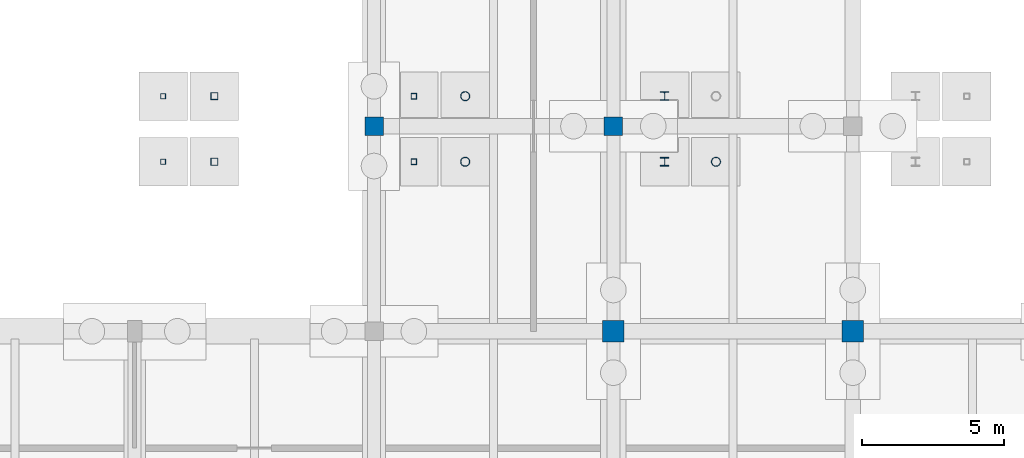
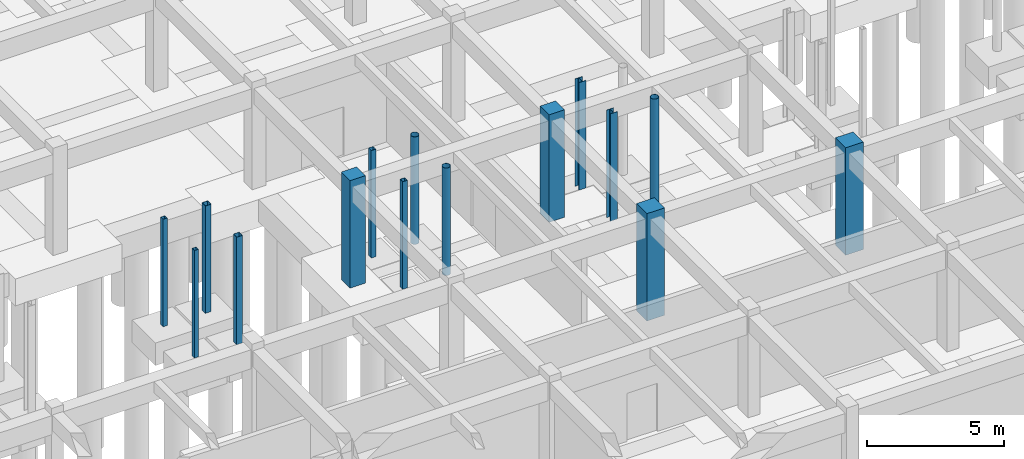
# One storey, part 21 of 80: 15 columns.
"""IFC4 building model written with IfcOpenShell, lengths in metres."""

from ifc_helpers import new_model, si_unit, direction, frame, origin, origin_2d, place, context, subcontext, project, spatial, rectangle, hollow_rectangle, hollow_circle, i_section, extrude, material, material_profile, profile_set, type_object, element, save


model = new_model("IFC4")

# Units and contexts
model_context = context("Model", 3, precision=1e-05, world=origin(), true_north=direction((0.0, 1.0)))
body_context = subcontext(model_context, "Body", "Model", "MODEL_VIEW")
ifc_project = project(units=[si_unit("LENGTHUNIT", "METRE"), si_unit("AREAUNIT", "SQUARE_METRE"), si_unit("VOLUMEUNIT", "CUBIC_METRE"), si_unit("PLANEANGLEUNIT", "RADIAN"), si_unit("MASSUNIT", "GRAM", prefix="KILO")], contexts=[model_context])

# Site, building, storey
site_placement = place(None, origin())
site = spatial("IfcSite", under=ifc_project, at=site_placement, CompositionType="ELEMENT")
building_placement = place(site_placement, origin())
building = spatial("IfcBuilding", under=site, at=building_placement, Name="Malvenik Polytechnic", CompositionType="ELEMENT")
storey_placement = place(building_placement, frame((0.0, 0.0, -4.800048828125)))
storey = spatial("IfcBuildingStorey", under=building, at=storey_placement, Name="B1", CompositionType="ELEMENT", Elevation=-4.800048828125)

# Columns
ifc_material_1 = material(Name="Concrete C40/50", Category="concrete")
ifc_material_profile_1 = material_profile(ifc_material_1, rectangle(XDim=0.75, YDim=0.75, at=origin_2d()), Name="RC COL 750x750")
ifc_profile_set_1 = profile_set([ifc_material_profile_1], Name="Concrete C40/50")
column_type_1 = type_object("IfcColumnType", Name="STR-COL-C-03", PredefinedType="COLUMN", material=ifc_profile_set_1)
for number, where, z_axis, x_axis, name in (
    (1, (84.0, 36.0, 0.0), (0.0, 0.0, 1.0), (1.0, 0.0, 0.0), "Column C-03 B1 (84.0,36.0)"),
    (2, (92.39990234375, 36.0, 0.0), (0.0, 0.0, 1.0), (1.0, 0.0, 0.0), "Column C-03 B1 (92.4,36.0)"),
):
    element("IfcColumn", number, at=place(storey_placement, frame(where, z_axis=z_axis, x_axis=x_axis)), inside=storey, type_object=column_type_1, Name=name, PredefinedType="COLUMN", context=body_context, shape_type="SweptSolid", body=[
        extrude(rectangle(XDim=0.75, YDim=0.75, at=origin_2d()), origin(), (0.0, 0.0, 1.0), 4.800048828125),
    ])
ifc_material_2 = material(Name="Concrete C35/45", Category="concrete")
ifc_material_profile_2 = material_profile(ifc_material_2, rectangle(XDim=0.64990234375, YDim=0.64990234375, at=origin_2d()), Name="RC COL 650x650")
ifc_profile_set_2 = profile_set([ifc_material_profile_2], Name="Concrete C35/45")
column_type_2 = type_object("IfcColumnType", Name="STR-COL-C-05", PredefinedType="COLUMN", material=ifc_profile_set_2)
for number, where, z_axis, x_axis, name in (
    (3, (75.60009765625, 43.199951171875, 0.0), (0.0, 0.0, 1.0), (1.0, 0.0, 0.0), "Column C-05 B1 (75.6,43.2)"),
    (4, (84.0, 43.199951171875, 0.0), (0.0, 0.0, 1.0), (1.0, 0.0, 0.0), "Column C-05 B1 (84.0,43.2)"),
):
    element("IfcColumn", number, at=place(storey_placement, frame(where, z_axis=z_axis, x_axis=x_axis)), inside=storey, type_object=column_type_2, Name=name, PredefinedType="COLUMN", context=body_context, shape_type="SweptSolid", body=[
        extrude(rectangle(XDim=0.64990234375, YDim=0.64990234375, at=origin_2d()), origin(), (0.0, 0.0, 1.0), 4.800048828125),
    ])
ifc_material_3 = material(Name="Steel S355J2H", Category="steel")
ifc_material_profile_3 = material_profile(ifc_material_3, hollow_rectangle(XDim=0.25, YDim=0.25, WallThickness=0.010009765625, at=origin_2d()), Name="SHS 250x250x10.0")
ifc_profile_set_3 = profile_set([ifc_material_profile_3], Name="Steel S355J2H")
column_type_3 = type_object("IfcColumnType", Name="STR-SCOL-SC-01", PredefinedType="COLUMN", material=ifc_profile_set_3)
for number, where, z_axis, x_axis, name in (
    (5, (70.0, 41.949951171875, 0.0), (0.0, 0.0, 1.0), (1.0, 0.0, 0.0), "Bridge-Ramp Support Column SC-01 B1"),
    (6, (70.0, 44.25, 0.0), (0.0, 0.0, 1.0), (1.0, 0.0, 0.0), "Bridge-Ramp Support Column SC-01 B1"),
):
    element("IfcColumn", number, at=place(storey_placement, frame(where, z_axis=z_axis, x_axis=x_axis)), inside=storey, type_object=column_type_3, Name=name, PredefinedType="COLUMN", context=body_context, shape_type="SweptSolid", body=[
        extrude(hollow_rectangle(XDim=0.25, YDim=0.25, WallThickness=0.010009765625, at=origin_2d()), origin(), (0.0, 0.0, 1.0), 4.800048828125),
    ])
ifc_material_profile_4 = material_profile(ifc_material_3, hollow_rectangle(XDim=0.199951171875, YDim=0.199951171875, WallThickness=0.010009765625, at=origin_2d()), Name="SHS 200x200x10.0")
ifc_profile_set_4 = profile_set([ifc_material_profile_4], Name="Steel S355J2H")
column_type_4 = type_object("IfcColumnType", Name="STR-SCOL-SC-02", PredefinedType="COLUMN", material=ifc_profile_set_4)
for number, where, z_axis, x_axis, name in (
    (7, (77.0, 41.949951171875, 0.0), (0.0, 0.0, 1.0), (1.0, 0.0, 0.0), "Bridge-Ramp Support Column SC-02 B1"),
    (8, (77.0, 44.25, 0.0), (0.0, 0.0, 1.0), (1.0, 0.0, 0.0), "Bridge-Ramp Support Column SC-02 B1"),
):
    element("IfcColumn", number, at=place(storey_placement, frame(where, z_axis=z_axis, x_axis=x_axis)), inside=storey, type_object=column_type_4, Name=name, PredefinedType="COLUMN", context=body_context, shape_type="SweptSolid", body=[
        extrude(hollow_rectangle(XDim=0.199951171875, YDim=0.199951171875, WallThickness=0.010009765625, at=origin_2d()), origin(), (0.0, 0.0, 1.0), 4.800048828125),
    ])
ifc_material_profile_5 = material_profile(ifc_material_3, hollow_circle(Radius=0.161865234375, WallThickness=0.012451171875, at=origin_2d()), Name="CHS 323.9x12.5")
ifc_profile_set_5 = profile_set([ifc_material_profile_5], Name="Steel S355J2H")
column_type_5 = type_object("IfcColumnType", Name="STR-SCOL-SC-04", PredefinedType="COLUMN", material=ifc_profile_set_5)
for number, where, z_axis, x_axis, name in (
    (9, (78.800048828125, 41.949951171875, 0.0), (0.0, 0.0, 1.0), (1.0, 0.0, 0.0), "Bridge-Ramp Support Column SC-04 B1"),
    (10, (78.800048828125, 44.25, 0.0), (0.0, 0.0, 1.0), (1.0, 0.0, 0.0), "Bridge-Ramp Support Column SC-04 B1"),
    (11, (87.60009765625, 41.949951171875, 0.0), (0.0, 0.0, 1.0), (1.0, 0.0, 0.0), "Bridge-Ramp Support Column SC-04 B1"),
):
    element("IfcColumn", number, at=place(storey_placement, frame(where, z_axis=z_axis, x_axis=x_axis)), inside=storey, type_object=column_type_5, Name=name, PredefinedType="COLUMN", context=body_context, shape_type="SweptSolid", body=[
        extrude(hollow_circle(Radius=0.161865234375, WallThickness=0.012451171875, at=origin_2d()), origin(), (0.0, 0.0, 1.0), 4.800048828125),
    ])
ifc_material_4 = material(Name="Steel S355", Category="steel")
ifc_material_profile_6 = material_profile(ifc_material_4, i_section(OverallWidth=0.300048828125, OverallDepth=0.300048828125, WebThickness=0.010986328125, FlangeThickness=0.01904296875, FilletRadius=0.027099609375, at=origin_2d()), Name="HEB 300")
ifc_profile_set_6 = profile_set([ifc_material_profile_6], Name="Steel S355")
column_type_6 = type_object("IfcColumnType", Name="STR-SCOL-SC-05", PredefinedType="COLUMN", material=ifc_profile_set_6)
for number, where, z_axis, x_axis, name in (
    (12, (85.800048828125, 41.949951171875, 0.0), (0.0, 0.0, 1.0), (1.0, 0.0, 0.0), "Bridge-Ramp Support Column SC-05 B1"),
    (13, (85.800048828125, 44.25, 0.0), (0.0, 0.0, 1.0), (1.0, 0.0, 0.0), "Bridge-Ramp Support Column SC-05 B1"),
):
    element("IfcColumn", number, at=place(storey_placement, frame(where, z_axis=z_axis, x_axis=x_axis)), inside=storey, type_object=column_type_6, Name=name, PredefinedType="COLUMN", context=body_context, shape_type="SweptSolid", body=[
        extrude(i_section(OverallWidth=0.300048828125, OverallDepth=0.300048828125, WebThickness=0.010986328125, FlangeThickness=0.01904296875, FilletRadius=0.027099609375, at=origin_2d()), origin(), (0.0, 0.0, 1.0), 4.800048828125),
    ])
ifc_material_profile_7 = material_profile(ifc_material_3, hollow_rectangle(XDim=0.179931640625, YDim=0.179931640625, WallThickness=0.008056640625, at=origin_2d()), Name="SHS 180x180x8.0")
ifc_profile_set_7 = profile_set([ifc_material_profile_7], Name="Steel S355J2H")
column_type_7 = type_object("IfcColumnType", Name="STR-SCOL-SC-06", PredefinedType="COLUMN", material=ifc_profile_set_7)
for number, where, z_axis, x_axis, name in (
    (14, (68.199951171875, 41.949951171875, 0.0), (0.0, 0.0, 1.0), (1.0, 0.0, 0.0), "Bridge-Ramp Support Column SC-06 B1"),
    (15, (68.199951171875, 44.25, 0.0), (0.0, 0.0, 1.0), (1.0, 0.0, 0.0), "Bridge-Ramp Support Column SC-06 B1"),
):
    element("IfcColumn", number, at=place(storey_placement, frame(where, z_axis=z_axis, x_axis=x_axis)), inside=storey, type_object=column_type_7, Name=name, PredefinedType="COLUMN", context=body_context, shape_type="SweptSolid", body=[
        extrude(hollow_rectangle(XDim=0.179931640625, YDim=0.179931640625, WallThickness=0.008056640625, at=origin_2d()), origin(), (0.0, 0.0, 1.0), 4.800048828125),
    ])

save(model, "model.ifc")
